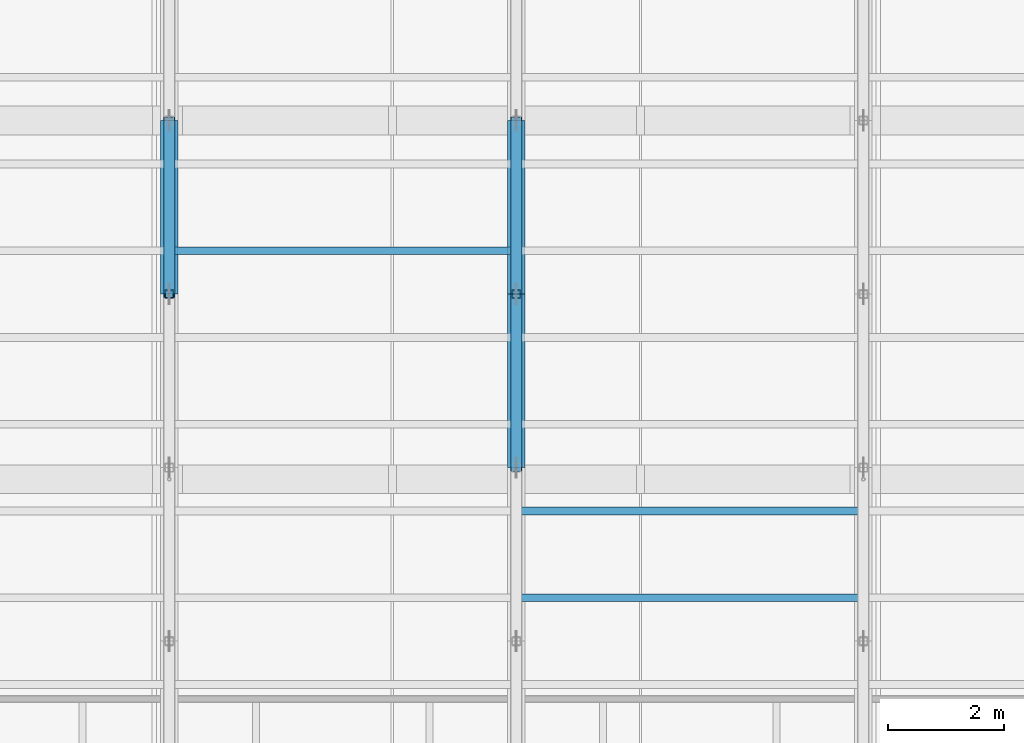
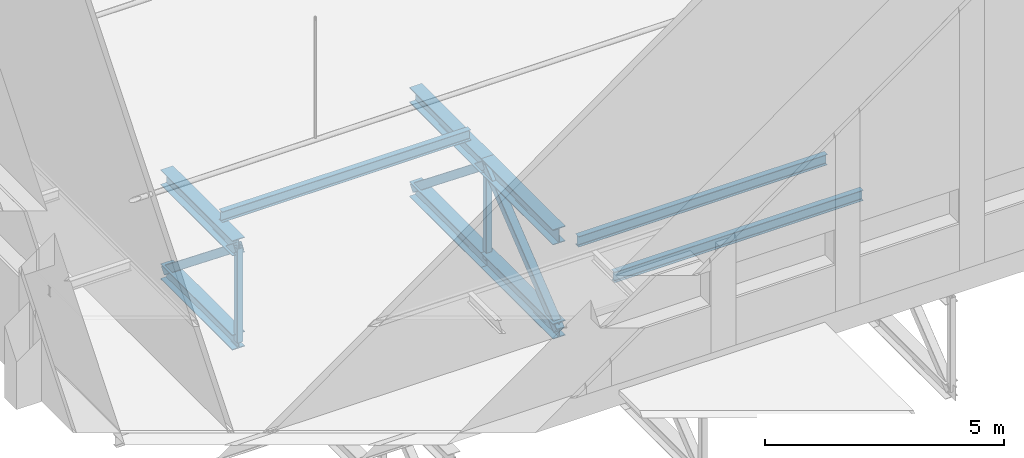
# One storey, part 10 of 55: 11 members, 3 beams.
"""IFC4 building model written with IfcOpenShell, lengths in metres."""

from ifc_helpers import new_model, si_unit, direction, frame, origin, origin_2d, place, context, subcontext, project, spatial, hollow_rectangle, i_section, extrude, material, material_profile, profile_set, type_object, element, save


model = new_model("IFC4")

# Units and contexts
model_context = context("Model", 3, precision=1e-05, world=origin(), true_north=direction((0.0, 1.0)))
body_context = subcontext(model_context, "Body", "Model", "MODEL_VIEW")
ifc_project = project(units=[si_unit("LENGTHUNIT", "METRE"), si_unit("AREAUNIT", "SQUARE_METRE"), si_unit("VOLUMEUNIT", "CUBIC_METRE"), si_unit("PLANEANGLEUNIT", "RADIAN"), si_unit("MASSUNIT", "GRAM", prefix="KILO")], contexts=[model_context])

# Site, building, storey
site_placement = place(None, origin())
site = spatial("IfcSite", under=ifc_project, at=site_placement, CompositionType="ELEMENT")
building_placement = place(site_placement, origin())
building = spatial("IfcBuilding", under=site, at=building_placement, Name="Lunette Opera House", CompositionType="ELEMENT")
storey_placement = place(building_placement, frame((0.0, 0.0, 34.0)))
storey = spatial("IfcBuildingStorey", under=building, at=storey_placement, Name="L06", CompositionType="ELEMENT", Elevation=34.0)

# Members
ifc_material_1 = material(Name="Steel S355", Category="steel")
ifc_material_profile_1 = material_profile(ifc_material_1, i_section(OverallWidth=0.300048828125, OverallDepth=0.389892578125, WebThickness=0.010986328125, FlangeThickness=0.01904296875, FilletRadius=0.027099609375, at=origin_2d()), Name="HEA 400")
ifc_profile_set_1 = profile_set([ifc_material_profile_1], Name="Steel S355")
member_type_1 = type_object("IfcMemberType", Name="CHORD HEA 400", PredefinedType="CHORD", material=ifc_profile_set_1)
for number, where, z_axis, x_axis, name in (
    (1, (90.0, 105.0, -0.6650390625), (0.0, 1.0, 0.0), (-1.0, 0.0, 0.0), "mem-ST-L06-ST-TR01-TC4"),
    (2, (90.0, 105.0, -3.06494140625), (0.0, 1.0, 0.0), (-1.0, 0.0, 0.0), "mem-ST-L06-ST-TR01-BC4"),
    (3, (96.0, 102.0, -0.6650390625), (0.0, 1.0, 0.0), (-1.0, 0.0, 0.0), "mem-ST-L06-ST-TR02-TC3"),
    (4, (96.0, 102.0, -3.06494140625), (0.0, 1.0, 0.0), (-1.0, 0.0, 0.0), "mem-ST-L06-ST-TR02-BC3"),
    (5, (96.0, 105.0, -0.6650390625), (0.0, 1.0, 0.0), (-1.0, 0.0, 0.0), "mem-ST-L06-ST-TR02-TC4"),
    (6, (96.0, 105.0, -3.06494140625), (0.0, 1.0, 0.0), (-1.0, 0.0, 0.0), "mem-ST-L06-ST-TR02-BC4"),
):
    element("IfcMember", number, at=place(storey_placement, frame(where, z_axis=z_axis, x_axis=x_axis)), inside=storey, type_object=member_type_1, Name=name, PredefinedType="CHORD", context=body_context, shape_type="SweptSolid", body=[
        extrude(i_section(OverallWidth=0.300048828125, OverallDepth=0.389892578125, WebThickness=0.010986328125, FlangeThickness=0.01904296875, FilletRadius=0.027099609375, at=origin_2d()), origin(), (0.0, 0.0, 1.0), 3.0),
    ])
ifc_material_2 = material(Name="Steel S355", Category="steel")
ifc_material_profile_2 = material_profile(ifc_material_2, hollow_rectangle(XDim=0.199951171875, YDim=0.199951171875, WallThickness=0.008056640625, InnerFilletRadius=0.008056640625, OuterFilletRadius=0.01611328125, at=origin_2d()), Name="RHS 200X200X8")
ifc_profile_set_2 = profile_set([ifc_material_profile_2], Name="Steel S355")
member_type_2 = type_object("IfcMemberType", Name="DIAGONAL RHS 200X200X8", PredefinedType="BRACE", material=ifc_profile_set_2)
for number, where, z_axis, x_axis, name in (
    (7, (90.0, 105.0, -0.6650390625), (0.0, 0.780881208953, -0.624679547852), (-1.0, 0.0, 0.0), "mem-ST-L06-ST-TR01-TD4"),
    (8, (96.0, 102.0, -3.06494140625), (0.0, 0.780881208953, 0.624679547852), (-1.0, 0.0, 0.0), "mem-ST-L06-ST-TR02-TD3"),
    (9, (96.0, 105.0, -0.6650390625), (0.0, 0.780881208953, -0.624679547852), (-1.0, 0.0, 0.0), "mem-ST-L06-ST-TR02-TD4"),
):
    element("IfcMember", number, at=place(storey_placement, frame(where, z_axis=z_axis, x_axis=x_axis)), inside=storey, type_object=member_type_2, Name=name, PredefinedType="BRACE", context=body_context, shape_type="SweptSolid", body=[
        extrude(hollow_rectangle(XDim=0.199951171875, YDim=0.199951171875, WallThickness=0.008056640625, InnerFilletRadius=0.008056640625, OuterFilletRadius=0.01611328125, at=origin_2d()), origin(), (0.0, 0.0, 1.0), 3.841796875),
    ])

# Beams
ifc_material_3 = material(Name="Steel S355", Category="steel")
ifc_material_profile_3 = material_profile(ifc_material_3, i_section(OverallWidth=0.135009765625, OverallDepth=0.27001953125, WebThickness=0.006591796875, FlangeThickness=0.01025390625, FilletRadius=0.014892578125, at=origin_2d()), Name="IPE 270")
ifc_profile_set_3 = profile_set([ifc_material_profile_3], Name="Steel S355")
beam_type = type_object("IfcBeamType", Name="STEEL BEAM IPE 270", PredefinedType="BEAM", material=ifc_profile_set_3)
for number, where, z_axis, x_axis, name in (
    (10, (96.0, 99.75, -0.3349609375), (1.0, 0.0, 0.0), (0.0, 1.0, 0.0), "beam-ST-L06-GRID-9975-3"),
    (11, (96.0, 101.25, -0.3349609375), (1.0, 0.0, 0.0), (0.0, 1.0, 0.0), "beam-ST-L06-GRID-10125-3"),
    (12, (90.0, 105.75, -0.3349609375), (1.0, 0.0, 0.0), (0.0, 1.0, 0.0), "beam-ST-L06-GRID-10575-2"),
):
    element("IfcBeam", number, at=place(storey_placement, frame(where, z_axis=z_axis, x_axis=x_axis)), inside=storey, type_object=beam_type, Name=name, PredefinedType="BEAM", context=body_context, shape_type="SweptSolid", body=[
        extrude(i_section(OverallWidth=0.135009765625, OverallDepth=0.27001953125, WebThickness=0.006591796875, FlangeThickness=0.01025390625, FilletRadius=0.014892578125, at=origin_2d()), origin(), (0.0, 0.0, 1.0), 6.0),
    ])

# Members
ifc_material_4 = material(Name="Steel S355", Category="steel")
ifc_material_profile_4 = material_profile(ifc_material_4, hollow_rectangle(XDim=0.14990234375, YDim=0.14990234375, WallThickness=0.008056640625, InnerFilletRadius=0.008056640625, OuterFilletRadius=0.01611328125, at=origin_2d()), Name="RHS 150X150X8")
ifc_profile_set_4 = profile_set([ifc_material_profile_4], Name="Steel S355")
member_type_3 = type_object("IfcMemberType", Name="VERTICAL RHS 150X150X8", PredefinedType="POST", material=ifc_profile_set_4)
for number, where, z_axis, x_axis, name in (
    (13, (90.0, 105.0, -3.06494140625), (0.0, 0.0, 1.0), (1.0, 0.0, 0.0), "mem-ST-L06-ST-TR01-TV4"),
    (14, (96.0, 105.0, -3.06494140625), (0.0, 0.0, 1.0), (1.0, 0.0, 0.0), "mem-ST-L06-ST-TR02-TV4"),
):
    element("IfcMember", number, at=place(storey_placement, frame(where, z_axis=z_axis, x_axis=x_axis)), inside=storey, type_object=member_type_3, Name=name, PredefinedType="POST", context=body_context, shape_type="SweptSolid", body=[
        extrude(hollow_rectangle(XDim=0.14990234375, YDim=0.14990234375, WallThickness=0.008056640625, InnerFilletRadius=0.008056640625, OuterFilletRadius=0.01611328125, at=origin_2d()), origin(), (0.0, 0.0, 1.0), 2.39990234375),
    ])

save(model, "model.ifc")
